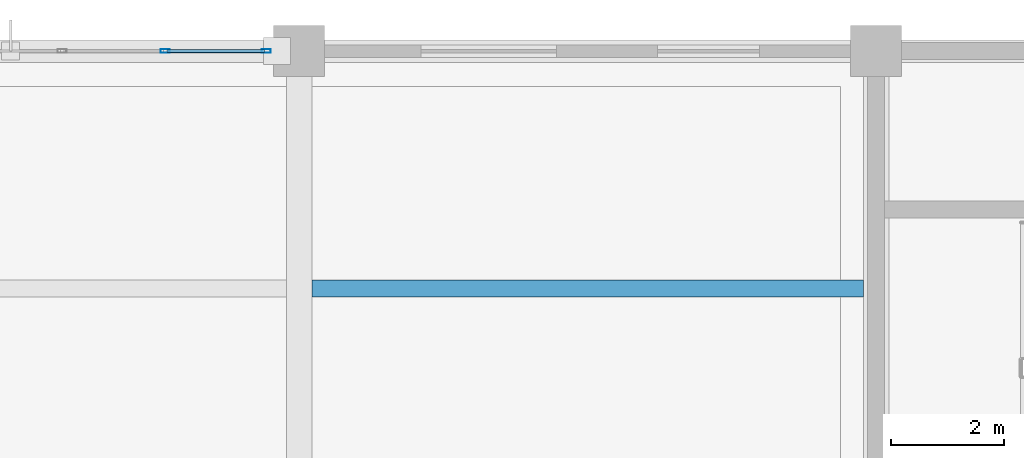
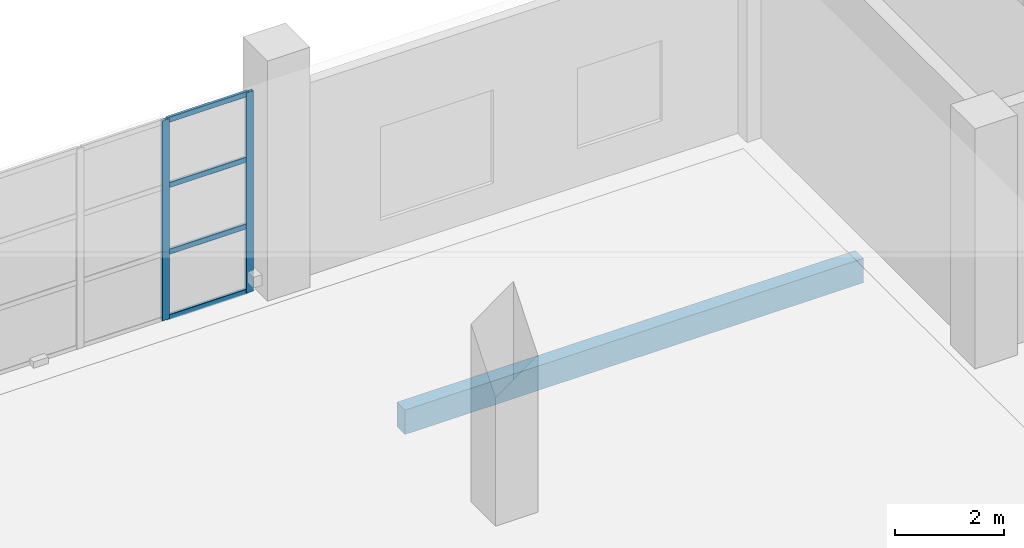
# One storey, part 95 of 175: 6 members, 1 beam, 1 element without a shape of its own.
"""IFC4 building model written with IfcOpenShell, lengths in metres."""

from ifc_helpers import new_model, si_unit, direction, frame, origin, origin_2d, place, context, subcontext, project, spatial, rectangle, hollow_rectangle, extrude, material, material_profile, profile_set, type_object, element, aggregate, save


model = new_model("IFC4")

# Units and contexts
model_context = context("Model", 3, precision=1e-05, world=origin(), true_north=direction((0.0, 1.0)))
body_context = subcontext(model_context, "Body", "Model", "MODEL_VIEW")
ifc_project = project(units=[si_unit("LENGTHUNIT", "METRE"), si_unit("AREAUNIT", "SQUARE_METRE"), si_unit("VOLUMEUNIT", "CUBIC_METRE"), si_unit("PLANEANGLEUNIT", "RADIAN"), si_unit("MASSUNIT", "GRAM", prefix="KILO")], contexts=[model_context])

# Site, building, storey
site_placement = place(None, origin())
site = spatial("IfcSite", under=ifc_project, at=site_placement, CompositionType="ELEMENT")
building_placement = place(site_placement, origin())
building = spatial("IfcBuilding", under=site, at=building_placement, Name="Brelvane Convention Centre", CompositionType="ELEMENT")
storey_placement = place(building_placement, frame((0.0, 0.0, 5.39990234375)))
storey = spatial("IfcBuildingStorey", under=building, at=storey_placement, Name="L01", CompositionType="ELEMENT", Elevation=5.39990234375)

# Curtain wall, members
ifc_material_1 = material(Name="Anodised Aluminium Alloy 6063-T6", Category="aluminium")
curtain_wall_type = type_object("IfcCurtainWallType", Name="Curtain Wall CW-BOUL", PredefinedType="USERDEFINED", material=ifc_material_1)
curtain_wall_placement = place(storey_placement, origin())
curtain_wall = element("IfcCurtainWall", 1, at=curtain_wall_placement, inside=storey, type_object=curtain_wall_type, Name="Curtain Wall CW-BOUL L01-V4N-08", ObjectType="UNITISED", PredefinedType="USERDEFINED")
ifc_material_2 = material(Name="Anodised Aluminium Alloy 6063-T6", Category="aluminium")
ifc_material_profile_1 = material_profile(ifc_material_2, hollow_rectangle(XDim=0.06494140625, YDim=0.159912109375, WallThickness=0.00390625, InnerFilletRadius=0.00390625, OuterFilletRadius=0.008056640625, at=origin_2d()), Name="ALU-M 160x65x4.0")
ifc_profile_set_1 = profile_set([ifc_material_profile_1], Name="Anodised Aluminium Alloy 6063-T6")
member_type_1 = type_object("IfcMemberType", Name="Curtain Mullion CW-M3", PredefinedType="MULLION", material=ifc_profile_set_1)
member_1_placement = place(storey_placement, frame((79.22998046875, 144.0, 0.0), z_axis=(0.0, 0.0, 1.0), x_axis=(0.0, 1.0, 0.0)))
member_1 = element("IfcMember", 2, at=member_1_placement, type_object=member_type_1, Name="CW-BOUL mullion 5", PredefinedType="MULLION", context=body_context, shape_type="SweptSolid", body=[
    extrude(hollow_rectangle(XDim=0.06494140625, YDim=0.159912109375, WallThickness=0.00390625, InnerFilletRadius=0.00390625, OuterFilletRadius=0.008056640625, at=origin_2d()), origin(), (0.0, 0.0, 1.0), 4.5),
])
member_2_placement = place(storey_placement, frame((81.017578125, 144.0, 0.0), z_axis=(0.0, 0.0, 1.0), x_axis=(0.0, 1.0, 0.0)))
member_2 = element("IfcMember", 3, at=member_2_placement, type_object=member_type_1, Name="CW-BOUL mullion 6", PredefinedType="MULLION", context=body_context, shape_type="SweptSolid", body=[
    extrude(hollow_rectangle(XDim=0.06494140625, YDim=0.159912109375, WallThickness=0.00390625, InnerFilletRadius=0.00390625, OuterFilletRadius=0.008056640625, at=origin_2d()), origin(), (0.0, 0.0, 1.0), 4.5),
])
ifc_material_3 = material(Name="Anodised Aluminium Alloy 6063-T6", Category="aluminium")
ifc_material_profile_2 = material_profile(ifc_material_3, hollow_rectangle(XDim=0.06005859375, YDim=0.1201171875, WallThickness=0.00390625, InnerFilletRadius=0.00390625, OuterFilletRadius=0.008056640625, at=origin_2d()), Name="ALU-T 120x60x4.0")
ifc_profile_set_2 = profile_set([ifc_material_profile_2], Name="Anodised Aluminium Alloy 6063-T6")
member_type_2 = type_object("IfcMemberType", Name="Curtain Transom CW-T3", PredefinedType="USERDEFINED", material=ifc_profile_set_2)
member_3_placement = place(storey_placement, frame((79.262451171875, 144.0, 0.030029296875), z_axis=(1.0, 0.0, 0.0), x_axis=(0.0, 1.0, 0.0)))
member_3 = element("IfcMember", 4, at=member_3_placement, type_object=member_type_2, Name="CW-BOUL transom 5.1", ObjectType="TRANSOM", PredefinedType="USERDEFINED", context=body_context, shape_type="SweptSolid", body=[
    extrude(hollow_rectangle(XDim=0.06005859375, YDim=0.1201171875, WallThickness=0.00390625, InnerFilletRadius=0.00390625, OuterFilletRadius=0.008056640625, at=origin_2d()), origin(), (0.0, 0.0, 1.0), 1.72265625),
])
member_4_placement = place(storey_placement, frame((79.262451171875, 144.0, 1.5), z_axis=(1.0, 0.0, 0.0), x_axis=(0.0, 1.0, 0.0)))
member_4 = element("IfcMember", 5, at=member_4_placement, type_object=member_type_2, Name="CW-BOUL transom 5.2", ObjectType="TRANSOM", PredefinedType="USERDEFINED", context=body_context, shape_type="SweptSolid", body=[
    extrude(hollow_rectangle(XDim=0.06005859375, YDim=0.1201171875, WallThickness=0.00390625, InnerFilletRadius=0.00390625, OuterFilletRadius=0.008056640625, at=origin_2d()), origin(), (0.0, 0.0, 1.0), 1.72265625),
])
member_5_placement = place(storey_placement, frame((79.262451171875, 144.0, 3.0), z_axis=(1.0, 0.0, 0.0), x_axis=(0.0, 1.0, 0.0)))
member_5 = element("IfcMember", 6, at=member_5_placement, type_object=member_type_2, Name="CW-BOUL transom 5.3", ObjectType="TRANSOM", PredefinedType="USERDEFINED", context=body_context, shape_type="SweptSolid", body=[
    extrude(hollow_rectangle(XDim=0.06005859375, YDim=0.1201171875, WallThickness=0.00390625, InnerFilletRadius=0.00390625, OuterFilletRadius=0.008056640625, at=origin_2d()), origin(), (0.0, 0.0, 1.0), 1.72265625),
])
member_6_placement = place(storey_placement, frame((79.262451171875, 144.0, 4.47021484375), z_axis=(1.0, 0.0, 0.0), x_axis=(0.0, 1.0, 0.0)))
member_6 = element("IfcMember", 7, at=member_6_placement, type_object=member_type_2, Name="CW-BOUL transom 5.4", ObjectType="TRANSOM", PredefinedType="USERDEFINED", context=body_context, shape_type="SweptSolid", body=[
    extrude(hollow_rectangle(XDim=0.06005859375, YDim=0.1201171875, WallThickness=0.00390625, InnerFilletRadius=0.00390625, OuterFilletRadius=0.008056640625, at=origin_2d()), origin(), (0.0, 0.0, 1.0), 1.72265625),
])
aggregate(curtain_wall, [member_1, member_2, member_3, member_4, member_5, member_6])

# Beam
ifc_material_4 = material(Name="Concrete M40", Category="concrete")
ifc_material_profile_3 = material_profile(ifc_material_4, rectangle(XDim=0.300048828125, YDim=0.550048828125, at=origin_2d()), Name="RC 300x550")
ifc_profile_set_3 = profile_set([ifc_material_profile_3], Name="Concrete M40")
beam_type = type_object("IfcBeamType", Name="RC Joist J-RC1 (RC 300x550)", PredefinedType="JOIST", material=ifc_profile_set_3)
beam_placement = place(storey_placement, frame((81.824951171875, 139.800048828125, -0.594970703125), z_axis=(1.0, 0.0, 0.0), x_axis=(0.0, 1.0, 0.0)))
element("IfcBeam", 8, at=beam_placement, inside=storey, type_object=beam_type, Name="L01 Secondary Joist 9-10/PQ", PredefinedType="JOIST", context=body_context, shape_type="SweptSolid", body=[
    extrude(rectangle(XDim=0.300048828125, YDim=0.550048828125, at=origin_2d()), origin(), (0.0, 0.0, 1.0), 9.75),
])

save(model, "model.ifc")
